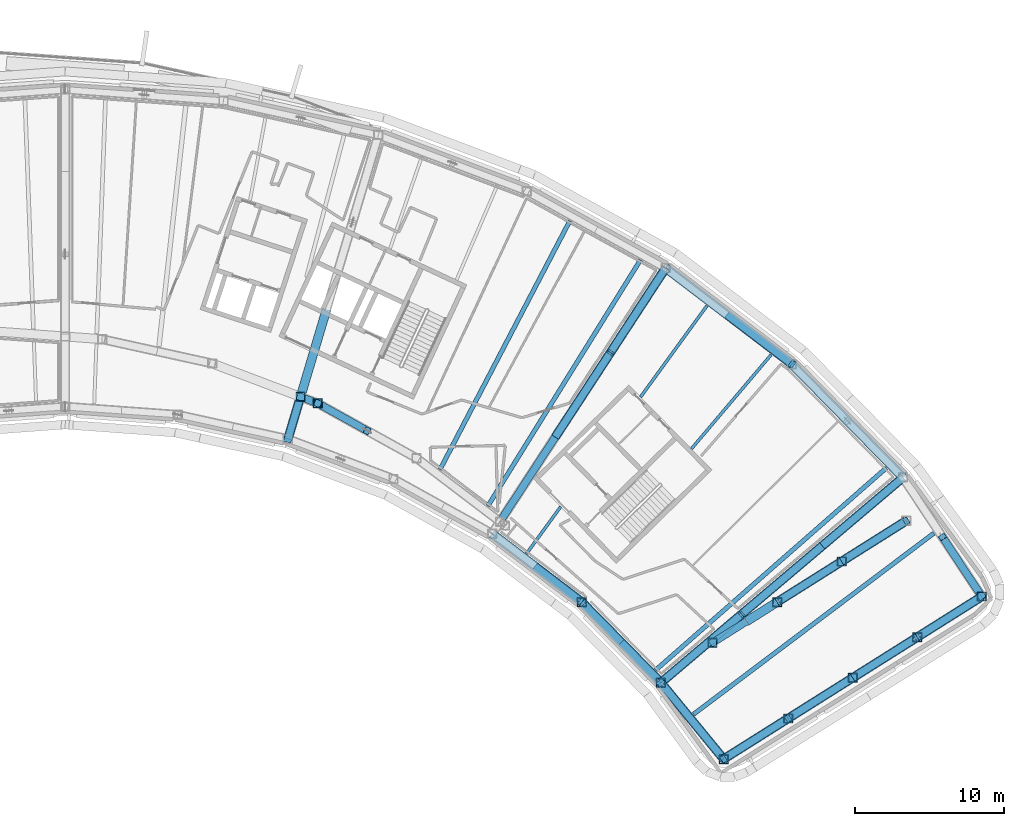
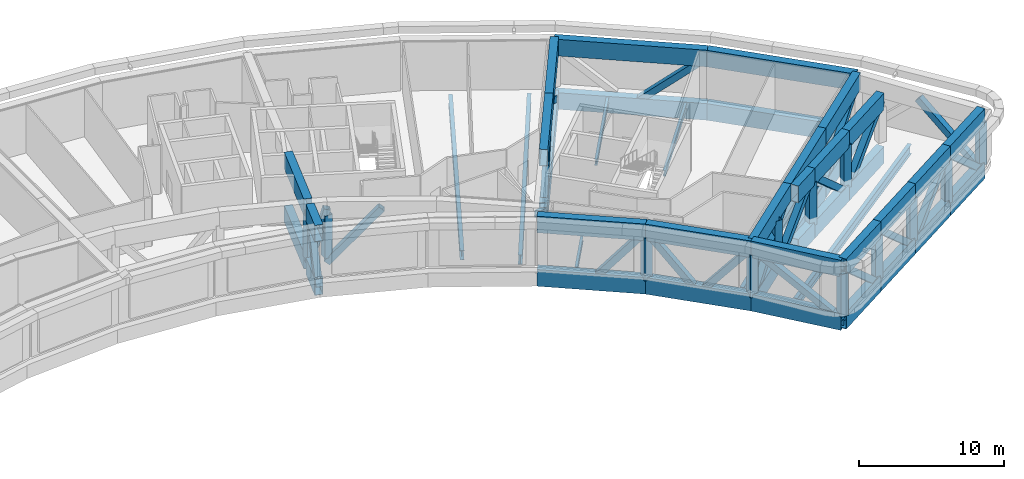
# One storey, part 4 of 24: 45 beams, 34 members.
"""IFC4 building model written with IfcOpenShell, lengths in metres."""

from ifc_helpers import new_model, si_unit, direction, frame, origin, origin_2d, place, context, subcontext, project, spatial, hollow_rectangle, i_section, extrude, material, material_profile, profile_set, type_object, element, save


model = new_model("IFC4")

# Units and contexts
model_context = context("Model", 3, precision=1e-05, world=origin(), true_north=direction((0.0, 1.0)))
body_context = subcontext(model_context, "Body", "Model", "MODEL_VIEW")
ifc_project = project(units=[si_unit("LENGTHUNIT", "METRE"), si_unit("AREAUNIT", "SQUARE_METRE"), si_unit("VOLUMEUNIT", "CUBIC_METRE"), si_unit("PLANEANGLEUNIT", "RADIAN"), si_unit("MASSUNIT", "GRAM", prefix="KILO")], contexts=[model_context])

# Site, building, storey
site_placement = place(None, origin())
site = spatial("IfcSite", under=ifc_project, at=site_placement, CompositionType="ELEMENT")
building_placement = place(site_placement, origin())
building = spatial("IfcBuilding", under=site, at=building_placement, Name="Tuul Gate Civic Tower", CompositionType="ELEMENT")
storey_placement = place(building_placement, frame((0.0, 0.0, 243.89990234375)))
storey = spatial("IfcBuildingStorey", under=building, at=storey_placement, Name="Plant and refuge floor 6", CompositionType="ELEMENT", Elevation=243.89990234375)

# Beams
ifc_material_1 = material(Name="Steel S355", Category="steel")
ifc_material_profile_1 = material_profile(ifc_material_1, i_section(OverallWidth=0.199951171875, OverallDepth=0.5, WebThickness=0.010009765625, FlangeThickness=0.01611328125, at=origin_2d()), Name="PG500x200x10x16")
ifc_profile_set_1 = profile_set([ifc_material_profile_1], Name="Steel S355")
beam_type_1 = type_object("IfcBeamType", Name="STR-FLOOR BEAM-PG500x200x10x16", PredefinedType="BEAM", material=ifc_profile_set_1)
beam_1_placement = place(storey_placement, frame((53.16064453125, -10.720703125, -0.64990234375), z_axis=(0.646582925111, 0.762843706768, 0.0), x_axis=(-0.762843706768, 0.646582925111, 0.0)))
element("IfcBeam", 1, at=beam_1_placement, inside=storey, type_object=beam_type_1, Name="Floor beam", PredefinedType="BEAM", context=body_context, shape_type="SweptSolid", body=[
    extrude(i_section(OverallWidth=0.199951171875, OverallDepth=0.5, WebThickness=0.010009765625, FlangeThickness=0.01611328125, at=origin_2d()), origin(), (0.0, 0.0, 1.0), 8.299072265625),
])
beam_2_placement = place(storey_placement, frame((42.080078125, -17.7587890625, -0.64990234375), z_axis=(0.588410284572, 0.808562512741, 0.0), x_axis=(-0.808562512741, 0.588410284572, 0.0)))
element("IfcBeam", 2, at=beam_2_placement, inside=storey, type_object=beam_type_1, Name="Floor beam", PredefinedType="BEAM", context=body_context, shape_type="SweptSolid", body=[
    extrude(i_section(OverallWidth=0.199951171875, OverallDepth=0.5, WebThickness=0.010009765625, FlangeThickness=0.01611328125, at=origin_2d()), origin(), (0.0, 0.0, 1.0), 3.8935546875),
])
beam_3_placement = place(storey_placement, frame((49.74072265625, -7.23193359375, -0.64990234375), z_axis=(0.588418529606, 0.808556512568, 0.0), x_axis=(-0.808556512568, 0.588418529606, 0.0)))
element("IfcBeam", 3, at=beam_3_placement, inside=storey, type_object=beam_type_1, Name="Floor beam", PredefinedType="BEAM", context=body_context, shape_type="SweptSolid", body=[
    extrude(i_section(OverallWidth=0.199951171875, OverallDepth=0.5, WebThickness=0.010009765625, FlangeThickness=0.01611328125, at=origin_2d()), origin(), (0.0, 0.0, 1.0), 7.585693359375),
])
ifc_material_2 = material(Name="Steel S355", Category="steel")
ifc_material_profile_2 = material_profile(ifc_material_2, i_section(OverallWidth=0.300048828125, OverallDepth=0.800048828125, WebThickness=0.013916015625, FlangeThickness=0.02490234375, at=origin_2d()), Name="PG800x300x14x25")
ifc_profile_set_2 = profile_set([ifc_material_profile_2], Name="Steel S355")
beam_type_2 = type_object("IfcBeamType", Name="STR-FLOOR BEAM-PG800x300x14x25", PredefinedType="BEAM", material=ifc_profile_set_2)
beam_4_placement = place(storey_placement, frame((53.30810546875, -28.57421875, -0.7998046875), z_axis=(0.798705116763, 0.601722640804, 0.0), x_axis=(-0.601722640804, 0.798705116763, 0.0)))
element("IfcBeam", 4, at=beam_4_placement, inside=storey, type_object=beam_type_2, Name="Floor beam", PredefinedType="BEAM", context=body_context, shape_type="SweptSolid", body=[
    extrude(i_section(OverallWidth=0.300048828125, OverallDepth=0.800048828125, WebThickness=0.013916015625, FlangeThickness=0.02490234375, at=origin_2d()), origin(), (0.0, 0.0, 1.0), 20.233154296875),
])
beam_5_placement = place(storey_placement, frame((50.766357421875, -25.597412109375, -0.7998046875), z_axis=(0.752020050066, 0.659140231134, 0.0), x_axis=(-0.659140231134, 0.752020050066, 0.0)))
element("IfcBeam", 5, at=beam_5_placement, inside=storey, type_object=beam_type_2, Name="Floor beam", PredefinedType="BEAM", context=body_context, shape_type="SweptSolid", body=[
    extrude(i_section(OverallWidth=0.300048828125, OverallDepth=0.800048828125, WebThickness=0.013916015625, FlangeThickness=0.02490234375, at=origin_2d()), origin(), (0.0, 0.0, 1.0), 20.631591796875),
])
beam_6_placement = place(storey_placement, frame((39.472900390625, -14.559326171875, -0.7998046875), z_axis=(0.527018626712, 0.849853732768, 0.0), x_axis=(-0.849853732768, 0.527018626712, 0.0)))
element("IfcBeam", 6, at=beam_6_placement, inside=storey, type_object=beam_type_2, Name="Floor beam", PredefinedType="BEAM", context=body_context, shape_type="SweptSolid", body=[
    extrude(i_section(OverallWidth=0.300048828125, OverallDepth=0.800048828125, WebThickness=0.013916015625, FlangeThickness=0.02490234375, at=origin_2d()), origin(), (0.0, 0.0, 1.0), 19.475341796875),
])
beam_7_placement = place(storey_placement, frame((36.251708984375, -12.1064453125, -0.7998046875), z_axis=(0.462734863775, 0.88649672636, 0.0), x_axis=(-0.88649672636, 0.462734863775, 0.0)))
element("IfcBeam", 7, at=beam_7_placement, inside=storey, type_object=beam_type_2, Name="Floor beam", PredefinedType="BEAM", context=body_context, shape_type="SweptSolid", body=[
    extrude(i_section(OverallWidth=0.300048828125, OverallDepth=0.800048828125, WebThickness=0.013916015625, FlangeThickness=0.02490234375, at=origin_2d()), origin(), (0.0, 0.0, 1.0), 18.87451171875),
])
ifc_material_3 = material(Name="Steel S460", Category="steel")
ifc_material_profile_3 = material_profile(ifc_material_3, hollow_rectangle(XDim=0.60009765625, YDim=1.39990234375, WallThickness=0.031982421875, at=origin_2d()), Name="BOX1400x600x32")
ifc_profile_set_3 = profile_set([ifc_material_profile_3], Name="Steel S460")
beam_type_3 = type_object("IfcBeamType", Name="STR-TRANSFER TRUSS CHORD-BOX1400x600x32", PredefinedType="BEAM", material=ifc_profile_set_3)
beam_8_placement = place(storey_placement, frame((51.43310546875, 1.451904296875, -1.099853515625), z_axis=(-0.546741101571, -0.83730171853, 0.0), x_axis=(0.83730171853, -0.546741101571, 0.0)))
element("IfcBeam", 8, at=beam_8_placement, inside=storey, type_object=beam_type_3, Name="Radial truss bottom chord", PredefinedType="BEAM", context=body_context, shape_type="SweptSolid", body=[
    extrude(hollow_rectangle(XDim=0.60009765625, YDim=1.39990234375, WallThickness=0.031982421875, at=origin_2d()), origin(), (0.0, 0.0, 1.0), 6.7958984375),
])
beam_9_placement = place(storey_placement, frame((47.717529296875, -4.23828125, -1.099853515625), z_axis=(-0.546715914807, -0.837318164437, 0.0), x_axis=(0.837318164437, -0.546715914807, 0.0)))
element("IfcBeam", 9, at=beam_9_placement, inside=storey, type_object=beam_type_3, Name="Radial truss bottom chord", PredefinedType="BEAM", context=body_context, shape_type="SweptSolid", body=[
    extrude(hollow_rectangle(XDim=0.60009765625, YDim=1.39990234375, WallThickness=0.031982421875, at=origin_2d()), origin(), (0.0, 0.0, 1.0), 6.795654296875),
])
beam_10_placement = place(storey_placement, frame((51.43310546875, 1.451904296875, 3.400146484375), z_axis=(-0.546741101571, -0.83730171853, 0.0), x_axis=(0.83730171853, -0.546741101571, 0.0)))
element("IfcBeam", 10, at=beam_10_placement, inside=storey, type_object=beam_type_3, Name="Radial truss top chord", PredefinedType="BEAM", context=body_context, shape_type="SweptSolid", body=[
    extrude(hollow_rectangle(XDim=0.60009765625, YDim=1.39990234375, WallThickness=0.031982421875, at=origin_2d()), origin(), (0.0, 0.0, 1.0), 6.7958984375),
])
beam_11_placement = place(storey_placement, frame((47.717529296875, -4.23828125, 3.400146484375), z_axis=(-0.546715914807, -0.837318164437, 0.0), x_axis=(0.837318164437, -0.546715914807, 0.0)))
element("IfcBeam", 11, at=beam_11_placement, inside=storey, type_object=beam_type_3, Name="Radial truss top chord", PredefinedType="BEAM", context=body_context, shape_type="SweptSolid", body=[
    extrude(hollow_rectangle(XDim=0.60009765625, YDim=1.39990234375, WallThickness=0.031982421875, at=origin_2d()), origin(), (0.0, 0.0, 1.0), 6.795654296875),
])
beam_12_placement = place(storey_placement, frame((28.61181640625, -1.343994140625, -1.099853515625), z_axis=(-0.285221985654, -0.95846148535, 0.0), x_axis=(0.95846148535, -0.285221985654, 0.0)))
element("IfcBeam", 12, at=beam_12_placement, inside=storey, type_object=beam_type_3, Name="Radial truss bottom chord", PredefinedType="BEAM", context=body_context, shape_type="SweptSolid", body=[
    extrude(hollow_rectangle(XDim=0.60009765625, YDim=1.39990234375, WallThickness=0.031982421875, at=origin_2d()), origin(), (0.0, 0.0, 1.0), 5.828369140625),
])
beam_13_placement = place(storey_placement, frame((26.77783203125, -7.5068359375, -1.099853515625), z_axis=(-0.285147511558, -0.958483644436, 0.0), x_axis=(0.958483644436, -0.285147511558, 0.0)))
element("IfcBeam", 13, at=beam_13_placement, inside=storey, type_object=beam_type_3, Name="Radial truss bottom chord", PredefinedType="BEAM", context=body_context, shape_type="SweptSolid", body=[
    extrude(hollow_rectangle(XDim=0.60009765625, YDim=1.39990234375, WallThickness=0.031982421875, at=origin_2d()), origin(), (0.0, 0.0, 1.0), 2.66796875),
])
beam_14_placement = place(storey_placement, frame((28.61181640625, -1.343994140625, 3.400146484375), z_axis=(-0.285221985654, -0.95846148535, 0.0), x_axis=(0.95846148535, -0.285221985654, 0.0)))
element("IfcBeam", 14, at=beam_14_placement, inside=storey, type_object=beam_type_3, Name="Radial truss top chord", PredefinedType="BEAM", context=body_context, shape_type="SweptSolid", body=[
    extrude(hollow_rectangle(XDim=0.60009765625, YDim=1.39990234375, WallThickness=0.031982421875, at=origin_2d()), origin(), (0.0, 0.0, 1.0), 5.828369140625),
])
beam_15_placement = place(storey_placement, frame((26.77783203125, -7.5068359375, 3.400146484375), z_axis=(-0.285147511558, -0.958483644436, 0.0), x_axis=(0.958483644436, -0.285147511558, 0.0)))
element("IfcBeam", 15, at=beam_15_placement, inside=storey, type_object=beam_type_3, Name="Radial truss top chord", PredefinedType="BEAM", context=body_context, shape_type="SweptSolid", body=[
    extrude(hollow_rectangle(XDim=0.60009765625, YDim=1.39990234375, WallThickness=0.031982421875, at=origin_2d()), origin(), (0.0, 0.0, 1.0), 2.66796875),
])
beam_16_placement = place(storey_placement, frame((67.403076171875, -12.64208984375, -1.099853515625), z_axis=(-0.762861767294, -0.646561616554, 0.0), x_axis=(0.646561616554, -0.762861767294, 0.0)))
element("IfcBeam", 16, at=beam_16_placement, inside=storey, type_object=beam_type_3, Name="Radial truss bottom chord", PredefinedType="BEAM", context=body_context, shape_type="SweptSolid", body=[
    extrude(hollow_rectangle(XDim=0.60009765625, YDim=1.39990234375, WallThickness=0.031982421875, at=origin_2d()), origin(), (0.0, 0.0, 1.0), 7.118408203125),
])
beam_17_placement = place(storey_placement, frame((61.97265625, -17.24462890625, -1.099853515625), z_axis=(-0.762844850996, -0.646581575139, 0.0), x_axis=(0.646581575139, -0.762844850996, 0.0)))
element("IfcBeam", 17, at=beam_17_placement, inside=storey, type_object=beam_type_3, Name="Radial truss bottom chord", PredefinedType="BEAM", context=body_context, shape_type="SweptSolid", body=[
    extrude(hollow_rectangle(XDim=0.60009765625, YDim=1.39990234375, WallThickness=0.031982421875, at=origin_2d()), origin(), (0.0, 0.0, 1.0), 7.11865234375),
])
for number, where, z_axis, x_axis, name in (
    (18, (56.542236328125, -21.847412109375, -1.099853515625), (-0.762847429267, -0.64657853325, 0.0), (0.64657853325, -0.762847429267, 0.0), "Radial truss bottom chord"),
    (19, (67.403076171875, -12.64208984375, 3.400146484375), (-0.762861767294, -0.646561616554, 0.0), (0.646561616554, -0.762861767294, 0.0), "Radial truss top chord"),
):
    element("IfcBeam", number, at=place(storey_placement, frame(where, z_axis=z_axis, x_axis=x_axis)), inside=storey, type_object=beam_type_3, Name=name, PredefinedType="BEAM", context=body_context, shape_type="SweptSolid", body=[
        extrude(hollow_rectangle(XDim=0.60009765625, YDim=1.39990234375, WallThickness=0.031982421875, at=origin_2d()), origin(), (0.0, 0.0, 1.0), 7.118408203125),
    ])
beam_18_placement = place(storey_placement, frame((61.97265625, -17.24462890625, 3.400146484375), z_axis=(-0.762844850996, -0.646581575139, 0.0), x_axis=(0.646581575139, -0.762844850996, 0.0)))
element("IfcBeam", 20, at=beam_18_placement, inside=storey, type_object=beam_type_3, Name="Radial truss top chord", PredefinedType="BEAM", context=body_context, shape_type="SweptSolid", body=[
    extrude(hollow_rectangle(XDim=0.60009765625, YDim=1.39990234375, WallThickness=0.031982421875, at=origin_2d()), origin(), (0.0, 0.0, 1.0), 7.11865234375),
])
beam_19_placement = place(storey_placement, frame((56.542236328125, -21.847412109375, 3.400146484375), z_axis=(-0.762847429267, -0.64657853325, 0.0), x_axis=(0.64657853325, -0.762847429267, 0.0)))
element("IfcBeam", 21, at=beam_19_placement, inside=storey, type_object=beam_type_3, Name="Radial truss top chord", PredefinedType="BEAM", context=body_context, shape_type="SweptSolid", body=[
    extrude(hollow_rectangle(XDim=0.60009765625, YDim=1.39990234375, WallThickness=0.031982421875, at=origin_2d()), origin(), (0.0, 0.0, 1.0), 7.118408203125),
])
for number, where, z_axis, x_axis, name in (
    (22, (67.403076171875, -12.64208984375, -1.099853515625), (-0.700052665808, 0.714091216229, 0.0), (-0.714091216229, -0.700052665808, 0.0), "Belt truss bottom chord"),
    (23, (67.403076171875, -12.64208984375, 3.400146484375), (-0.700052665808, 0.714091216229, 0.0), (-0.714091216229, -0.700052665808, 0.0), "Belt truss top chord"),
):
    element("IfcBeam", number, at=place(storey_placement, frame(where, z_axis=z_axis, x_axis=x_axis)), inside=storey, type_object=beam_type_3, Name=name, PredefinedType="BEAM", context=body_context, shape_type="SweptSolid", body=[
        extrude(hollow_rectangle(XDim=0.60009765625, YDim=1.39990234375, WallThickness=0.031982421875, at=origin_2d()), origin(), (0.0, 0.0, 1.0), 10.677978515625),
    ])
for number, where, z_axis, x_axis, name in (
    (24, (59.927978515625, -5.01708984375, -1.099853515625), (-0.79558023524, 0.605848239493, 0.0), (-0.605848239493, -0.79558023524, 0.0), "Belt truss bottom chord"),
    (25, (59.927978515625, -5.01708984375, 3.400146484375), (-0.79558023524, 0.605848239493, 0.0), (-0.605848239493, -0.79558023524, 0.0), "Belt truss top chord"),
):
    element("IfcBeam", number, at=place(storey_placement, frame(where, z_axis=z_axis, x_axis=x_axis)), inside=storey, type_object=beam_type_3, Name=name, PredefinedType="BEAM", context=body_context, shape_type="SweptSolid", body=[
        extrude(hollow_rectangle(XDim=0.60009765625, YDim=1.39990234375, WallThickness=0.031982421875, at=origin_2d()), origin(), (0.0, 0.0, 1.0), 10.677490234375),
    ])
for number, where, z_axis, x_axis, name in (
    (26, (39.757080078125, -16.429931640625, -1.099853515625), (0.795657538092, -0.605746714459, 0.0), (0.605746714459, 0.795657538092, 0.0), "Belt truss bottom chord"),
    (27, (39.757080078125, -16.429931640625, 3.400146484375), (0.795657538092, -0.605746714459, 0.0), (0.605746714459, 0.795657538092, 0.0), "Belt truss top chord"),
):
    element("IfcBeam", number, at=place(storey_placement, frame(where, z_axis=z_axis, x_axis=x_axis)), inside=storey, type_object=beam_type_3, Name=name, PredefinedType="BEAM", context=body_context, shape_type="SweptSolid", body=[
        extrude(hollow_rectangle(XDim=0.60009765625, YDim=1.39990234375, WallThickness=0.031982421875, at=origin_2d()), origin(), (0.0, 0.0, 1.0), 7.592529296875),
    ])
for number, where, z_axis, x_axis, name in (
    (28, (45.798095703125, -21.029052734375, -1.099853515625), (0.700028321622, -0.714115081011, 0.0), (0.714115081011, 0.700028321622, 0.0), "Belt truss bottom chord"),
    (29, (45.798095703125, -21.029052734375, 3.400146484375), (0.700028321622, -0.714115081011, 0.0), (0.714115081011, 0.700028321622, 0.0), "Belt truss top chord"),
):
    element("IfcBeam", number, at=place(storey_placement, frame(where, z_axis=z_axis, x_axis=x_axis)), inside=storey, type_object=beam_type_3, Name=name, PredefinedType="BEAM", context=body_context, shape_type="SweptSolid", body=[
        extrude(hollow_rectangle(XDim=0.60009765625, YDim=1.39990234375, WallThickness=0.031982421875, at=origin_2d()), origin(), (0.0, 0.0, 1.0), 7.591064453125),
    ])
for number, where, z_axis, x_axis, name in (
    (30, (51.112060546875, -26.449951171875, -1.099853515625), (0.634390286361, -0.773012913586, 0.0), (0.773012913586, 0.634390286361, 0.0), "Belt truss bottom chord"),
    (31, (51.112060546875, -26.449951171875, 3.400146484375), (0.634390286361, -0.773012913586, 0.0), (0.773012913586, 0.634390286361, 0.0), "Belt truss top chord"),
):
    element("IfcBeam", number, at=place(storey_placement, frame(where, z_axis=z_axis, x_axis=x_axis)), inside=storey, type_object=beam_type_3, Name=name, PredefinedType="BEAM", context=body_context, shape_type="SweptSolid", body=[
        extrude(hollow_rectangle(XDim=0.60009765625, YDim=1.39990234375, WallThickness=0.031982421875, at=origin_2d()), origin(), (0.0, 0.0, 1.0), 6.652099609375),
    ])
for number, where, z_axis, x_axis, name in (
    (32, (68.35888671875, -23.388916015625, -1.099853515625), (0.846200269344, 0.532864996188, 0.0), (-0.532864996188, 0.846200269344, 0.0), "Belt truss bottom chord"),
    (33, (68.35888671875, -23.388916015625, 3.400146484375), (0.846200269344, 0.532864996188, 0.0), (-0.532864996188, 0.846200269344, 0.0), "Belt truss top chord"),
):
    element("IfcBeam", number, at=place(storey_placement, frame(where, z_axis=z_axis, x_axis=x_axis)), inside=storey, type_object=beam_type_3, Name=name, PredefinedType="BEAM", context=body_context, shape_type="SweptSolid", body=[
        extrude(hollow_rectangle(XDim=0.60009765625, YDim=1.39990234375, WallThickness=0.031982421875, at=origin_2d()), origin(), (0.0, 0.0, 1.0), 5.13232421875),
    ])
for number, where, z_axis, x_axis, name in (
    (34, (56.868408203125, -22.32763671875, -1.099853515625), (0.846211042285, 0.532847888159, 0.0), (-0.532847888159, 0.846211042285, 0.0), "Belt truss bottom chord"),
    (35, (56.868408203125, -22.32763671875, 3.400146484375), (0.846211042285, 0.532847888159, 0.0), (-0.532847888159, 0.846211042285, 0.0), "Belt truss top chord"),
):
    element("IfcBeam", number, at=place(storey_placement, frame(where, z_axis=z_axis, x_axis=x_axis)), inside=storey, type_object=beam_type_3, Name=name, PredefinedType="BEAM", context=body_context, shape_type="SweptSolid", body=[
        extrude(hollow_rectangle(XDim=0.60009765625, YDim=1.39990234375, WallThickness=0.031982421875, at=origin_2d()), origin(), (0.0, 0.0, 1.0), 2.431640625),
    ])
for number, where, z_axis, x_axis, name in (
    (36, (59.674072265625, -28.85791015625, -1.099853515625), (0.846200269344, 0.532864996188, 0.0), (-0.532864996188, 0.846200269344, 0.0), "Belt truss bottom chord"),
    (37, (59.674072265625, -28.85791015625, 3.400146484375), (0.846200269344, 0.532864996188, 0.0), (-0.532864996188, 0.846200269344, 0.0), "Belt truss top chord"),
):
    element("IfcBeam", number, at=place(storey_placement, frame(where, z_axis=z_axis, x_axis=x_axis)), inside=storey, type_object=beam_type_3, Name=name, PredefinedType="BEAM", context=body_context, shape_type="SweptSolid", body=[
        extrude(hollow_rectangle(XDim=0.60009765625, YDim=1.39990234375, WallThickness=0.031982421875, at=origin_2d()), origin(), (0.0, 0.0, 1.0), 5.13232421875),
    ])
for number, where, z_axis, x_axis, name in (
    (38, (63.26806640625, -18.297119140625, -1.099853515625), (0.846264615796, 0.53276279905, 0.0), (-0.53276279905, 0.846264615796, 0.0), "Belt truss bottom chord"),
    (39, (63.26806640625, -18.297119140625, 3.400146484375), (0.846264615796, 0.53276279905, 0.0), (-0.53276279905, 0.846264615796, 0.0), "Belt truss top chord"),
):
    element("IfcBeam", number, at=place(storey_placement, frame(where, z_axis=z_axis, x_axis=x_axis)), inside=storey, type_object=beam_type_3, Name=name, PredefinedType="BEAM", context=body_context, shape_type="SweptSolid", body=[
        extrude(hollow_rectangle(XDim=0.60009765625, YDim=1.39990234375, WallThickness=0.031982421875, at=origin_2d()), origin(), (0.0, 0.0, 1.0), 5.132080078125),
    ])
for number, where, z_axis, x_axis, name in (
    (40, (58.926025390625, -21.031982421875, -1.099853515625), (0.846146228652, 0.532950804237, 0.0), (-0.532950804237, 0.846146228652, 0.0), "Belt truss bottom chord"),
    (41, (58.926025390625, -21.031982421875, 3.400146484375), (0.846146228652, 0.532950804237, 0.0), (-0.532950804237, 0.846146228652, 0.0), "Belt truss top chord"),
):
    element("IfcBeam", number, at=place(storey_placement, frame(where, z_axis=z_axis, x_axis=x_axis)), inside=storey, type_object=beam_type_3, Name=name, PredefinedType="BEAM", context=body_context, shape_type="SweptSolid", body=[
        extrude(hollow_rectangle(XDim=0.60009765625, YDim=1.39990234375, WallThickness=0.031982421875, at=origin_2d()), origin(), (0.0, 0.0, 1.0), 5.131591796875),
    ])
for number, where, z_axis, x_axis, name in (
    (42, (64.01708984375, -26.123046875, -1.099853515625), (0.846197081624, 0.532870058317, 0.0), (-0.532870058317, 0.846197081624, 0.0), "Belt truss bottom chord"),
    (43, (64.01708984375, -26.123046875, 3.400146484375), (0.846197081624, 0.532870058317, 0.0), (-0.532870058317, 0.846197081624, 0.0), "Belt truss top chord"),
):
    element("IfcBeam", number, at=place(storey_placement, frame(where, z_axis=z_axis, x_axis=x_axis)), inside=storey, type_object=beam_type_3, Name=name, PredefinedType="BEAM", context=body_context, shape_type="SweptSolid", body=[
        extrude(hollow_rectangle(XDim=0.60009765625, YDim=1.39990234375, WallThickness=0.031982421875, at=origin_2d()), origin(), (0.0, 0.0, 1.0), 5.130859375),
    ])
for number, where, z_axis, x_axis, name in (
    (44, (55.33203125, -31.592041015625, -1.099853515625), (0.846210591722, 0.532848603694, 0.0), (-0.532848603694, 0.846210591722, 0.0), "Belt truss bottom chord"),
    (45, (55.33203125, -31.592041015625, 3.400146484375), (0.846210591722, 0.532848603694, 0.0), (-0.532848603694, 0.846210591722, 0.0), "Belt truss top chord"),
):
    element("IfcBeam", number, at=place(storey_placement, frame(where, z_axis=z_axis, x_axis=x_axis)), inside=storey, type_object=beam_type_3, Name=name, PredefinedType="BEAM", context=body_context, shape_type="SweptSolid", body=[
        extrude(hollow_rectangle(XDim=0.60009765625, YDim=1.39990234375, WallThickness=0.031982421875, at=origin_2d()), origin(), (0.0, 0.0, 1.0), 5.131103515625),
    ])

# Members
ifc_material_4 = material(Name="Steel S355", Category="steel")
ifc_material_profile_4 = material_profile(ifc_material_4, hollow_rectangle(XDim=0.5, YDim=0.5, WallThickness=0.02001953125, at=origin_2d()), Name="BOX500x500x20")
ifc_profile_set_4 = profile_set([ifc_material_profile_4], Name="Steel S355")
member_type_1 = type_object("IfcMemberType", Name="STR-TRANSFER TRUSS DIAGONAL-BOX500x500x20", PredefinedType="BRACE", material=ifc_profile_set_4)
for number, where, z_axis, x_axis, name in (
    (46, (51.435302734375, 1.45556640625, -1.102783203125), (-0.455837736123, -0.698131483243, 0.552109038535), (0.837317099572, -0.546717545688, 0.0), "Radial truss web"),
    (47, (43.999755859375, -9.931884765625, -1.102783203125), (0.455870956646, 0.698106626417, 0.552113040091), (-0.837289948027, 0.546759126978, 0.0), "Radial truss web"),
    (48, (44.00439453125, -9.925048828125, -1.102783203125), (-0.455837736123, -0.698131483243, 0.552109038535), (0.837317099572, -0.546717545688, 0.0), "Radial truss web"),
):
    element("IfcMember", number, at=place(storey_placement, frame(where, z_axis=z_axis, x_axis=x_axis)), inside=storey, type_object=member_type_1, Name=name, PredefinedType="BRACE", context=body_context, shape_type="SweptSolid", body=[
        extrude(hollow_rectangle(XDim=0.5, YDim=0.5, WallThickness=0.02001953125, at=origin_2d()), origin(), (0.0, 0.0, 1.0), 8.16064453125),
    ])
member_1_placement = place(storey_placement, frame((26.01611328125, -10.066650390625, -1.10400390625), z_axis=(0.15707731176, 0.527824969617, 0.834702054376), x_axis=(-0.95845875707, 0.28523115362, 0.0)))
element("IfcMember", 49, at=member_1_placement, inside=storey, type_object=member_type_1, Name="Radial truss web", PredefinedType="BRACE", context=body_context, shape_type="SweptSolid", body=[
    extrude(hollow_rectangle(XDim=0.5, YDim=0.5, WallThickness=0.02001953125, at=origin_2d()), origin(), (0.0, 0.0, 1.0), 5.401123046875),
])
for number, where, z_axis, x_axis, name in (
    (50, (61.969482421875, -17.247314453125, -1.1025390625), (0.64480844625, 0.546533720552, 0.534343484984), (-0.646580829483, 0.762845483007, 0.0), "Radial truss web"),
    (51, (61.975830078125, -17.241943359375, -1.1025390625), (-0.64480844625, -0.546533720552, 0.534343484984), (0.646580829483, -0.762845483007, 0.0), "Radial truss web"),
    (52, (51.10888671875, -26.45263671875, -1.1025390625), (0.64480844625, 0.546533720552, 0.534343484984), (-0.646580829483, 0.762845483007, 0.0), "Radial truss web"),
):
    element("IfcMember", number, at=place(storey_placement, frame(where, z_axis=z_axis, x_axis=x_axis)), inside=storey, type_object=member_type_1, Name=name, PredefinedType="BRACE", context=body_context, shape_type="SweptSolid", body=[
        extrude(hollow_rectangle(XDim=0.5, YDim=0.5, WallThickness=0.02001953125, at=origin_2d()), origin(), (0.0, 0.0, 1.0), 8.431640625),
    ])
member_2_placement = place(storey_placement, frame((55.677490234375, -1.7802734375, -1.10302734375), z_axis=(0.608336672338, -0.463226920273, 0.644474447456), x_axis=(0.605821686283, 0.795600455273, 0.0)))
element("IfcMember", 53, at=member_2_placement, inside=storey, type_object=member_type_1, Name="Belt truss web", PredefinedType="BRACE", context=body_context, shape_type="SweptSolid", body=[
    extrude(hollow_rectangle(XDim=0.5, YDim=0.5, WallThickness=0.02001953125, at=origin_2d()), origin(), (0.0, 0.0, 1.0), 6.9921875),
])
member_3_placement = place(storey_placement, frame((72.7041015625, -20.656982421875, -1.103271484375), z_axis=(-0.402569292294, 0.608650398405, 0.683727034294), x_axis=(-0.834067180508, -0.55166288474, 0.0)))
element("IfcMember", 54, at=member_3_placement, inside=storey, type_object=member_type_1, Name="Belt truss web", PredefinedType="BRACE", context=body_context, shape_type="SweptSolid", body=[
    extrude(hollow_rectangle(XDim=0.5, YDim=0.5, WallThickness=0.02001953125, at=origin_2d()), origin(), (0.0, 0.0, 1.0), 6.591552734375),
])
for number, where, z_axis, x_axis, name in (
    (55, (42.77490234375, -18.7275390625, -1.103759765625), (0.513050918323, -0.390594320534, 0.7643394743), (0.605747217095, 0.795657155427, 0.0), "Belt truss web"),
    (56, (28.023193359375, -7.656494140625, -1.103759765625), (0.563943712005, -0.312607470955, 0.764358593066), (0.484819546412, 0.874614204903, 0.0), "Belt truss web"),
):
    element("IfcMember", number, at=place(storey_placement, frame(where, z_axis=z_axis, x_axis=x_axis)), inside=storey, type_object=member_type_1, Name=name, PredefinedType="BRACE", context=body_context, shape_type="SweptSolid", body=[
        extrude(hollow_rectangle(XDim=0.5, YDim=0.5, WallThickness=0.02001953125, at=origin_2d()), origin(), (0.0, 0.0, 1.0), 5.897216796875),
    ])
member_4_placement = place(storey_placement, frame((26.862548828125, -7.218017578125, -1.104736328125), z_axis=(0.248965614823, -0.094138329311, 0.963926396355), x_axis=(0.353678873198, 0.935366909107, 0.0)))
element("IfcMember", 57, at=member_4_placement, inside=storey, type_object=member_type_1, Name="Belt truss web", PredefinedType="BRACE", context=body_context, shape_type="SweptSolid", body=[
    extrude(hollow_rectangle(XDim=0.5, YDim=0.5, WallThickness=0.02001953125, at=origin_2d()), origin(), (0.0, 0.0, 1.0), 4.678466796875),
])
for number, where, z_axis, x_axis, name in (
    (58, (48.457275390625, -23.74169921875, -1.103759765625), (-0.451355012954, 0.460421858288, 0.764388883156), (-0.714103050027, -0.700040594496, 0.0), "Belt truss web"),
    (59, (48.45263671875, -23.7373046875, -1.103759765625), (0.451355012954, -0.460421858288, 0.764388883156), (0.714103050027, 0.700040594496, 0.0), "Belt truss web"),
):
    element("IfcMember", number, at=place(storey_placement, frame(where, z_axis=z_axis, x_axis=x_axis)), inside=storey, type_object=member_type_1, Name=name, PredefinedType="BRACE", context=body_context, shape_type="SweptSolid", body=[
        extrude(hollow_rectangle(XDim=0.5, YDim=0.5, WallThickness=0.02001953125, at=origin_2d()), origin(), (0.0, 0.0, 1.0), 5.89697265625),
    ])
member_5_placement = place(storey_placement, frame((55.334716796875, -31.59521484375, -1.102783203125), z_axis=(-0.525463250337, 0.640259376154, 0.560318038075), x_axis=(-0.773001004128, -0.634404797915, 0.0)))
element("IfcMember", 60, at=member_5_placement, inside=storey, type_object=member_type_1, Name="Belt truss web", PredefinedType="BRACE", context=body_context, shape_type="SweptSolid", body=[
    extrude(hollow_rectangle(XDim=0.5, YDim=0.5, WallThickness=0.02001953125, at=origin_2d()), origin(), (0.0, 0.0, 1.0), 8.041259765625),
])
for number, where, z_axis, x_axis, name in (
    (61, (72.705078125, -20.652099609375, -1.103271484375), (-0.636260198505, -0.400684993939, 0.659260567174), (0.532886335228, -0.846186831455, 0.0), "Belt truss web"),
    (62, (54.579833984375, -23.76904296875, -1.103271484375), (0.636260198505, 0.400684993939, 0.659260567174), (-0.532886335228, 0.846186831455, 0.0), "Belt truss web"),
    (63, (64.020263671875, -26.12109375, -1.103271484375), (-0.636260198505, -0.400684993939, 0.659260567174), (0.532886335228, -0.846186831455, 0.0), "Belt truss web"),
):
    element("IfcMember", number, at=place(storey_placement, frame(where, z_axis=z_axis, x_axis=x_axis)), inside=storey, type_object=member_type_1, Name=name, PredefinedType="BRACE", context=body_context, shape_type="SweptSolid", body=[
        extrude(hollow_rectangle(XDim=0.5, YDim=0.5, WallThickness=0.02001953125, at=origin_2d()), origin(), (0.0, 0.0, 1.0), 6.8359375),
    ])
member_6_placement = place(storey_placement, frame((63.264892578125, -18.299072265625, -1.103271484375), z_axis=(0.63629661571, 0.400565060072, 0.659298300836), x_axis=(-0.532750272584, 0.846272501657, 0.0)))
element("IfcMember", 64, at=member_6_placement, inside=storey, type_object=member_type_1, Name="Belt truss web", PredefinedType="BRACE", context=body_context, shape_type="SweptSolid", body=[
    extrude(hollow_rectangle(XDim=0.5, YDim=0.5, WallThickness=0.02001953125, at=origin_2d()), origin(), (0.0, 0.0, 1.0), 6.83544921875),
])
member_7_placement = place(storey_placement, frame((63.271240234375, -18.294921875, -1.103271484375), z_axis=(-0.63617516084, -0.400721415387, 0.659320492614), x_axis=(0.532972018739, -0.846132866187, 0.0)))
element("IfcMember", 65, at=member_7_placement, inside=storey, type_object=member_type_1, Name="Belt truss web", PredefinedType="BRACE", context=body_context, shape_type="SweptSolid", body=[
    extrude(hollow_rectangle(XDim=0.5, YDim=0.5, WallThickness=0.02001953125, at=origin_2d()), origin(), (0.0, 0.0, 1.0), 6.835205078125),
])
for number, where, z_axis, x_axis, name in (
    (66, (64.013916015625, -26.125, -1.103271484375), (0.636190317197, 0.40061057874, 0.659373220951), (-0.532857374765, 0.84620506862, 0.0), "Belt truss web"),
    (67, (59.67724609375, -28.85595703125, -1.103271484375), (-0.636211579798, -0.400601474787, 0.659358236567), (0.532835951567, -0.846218558481, 0.0), "Belt truss web"),
):
    element("IfcMember", number, at=place(storey_placement, frame(where, z_axis=z_axis, x_axis=x_axis)), inside=storey, type_object=member_type_1, Name=name, PredefinedType="BRACE", context=body_context, shape_type="SweptSolid", body=[
        extrude(hollow_rectangle(XDim=0.5, YDim=0.5, WallThickness=0.02001953125, at=origin_2d()), origin(), (0.0, 0.0, 1.0), 6.834716796875),
    ])
ifc_material_5 = material(Name="Steel S355", Category="steel")
ifc_material_profile_5 = material_profile(ifc_material_5, hollow_rectangle(XDim=0.60009765625, YDim=0.60009765625, WallThickness=0.028076171875, at=origin_2d()), Name="BOX600x600x28")
ifc_profile_set_5 = profile_set([ifc_material_profile_5], Name="Steel S355")
member_type_2 = type_object("IfcMemberType", Name="STR-TRUSS POST-BOX600x600x28", PredefinedType="POST", material=ifc_profile_set_5)
for number, where, z_axis, x_axis, name in (
    (68, (26.86376953125, -7.218505859375, -0.64501953125), (0.0, 0.0, 1.0), (1.0, 0.0, 0.0), "Radial truss post"),
    (69, (51.112060546875, -26.449951171875, -0.64501953125), (0.0, 0.0, 1.0), (1.0, 0.0, 0.0), "Radial truss post"),
    (70, (72.701904296875, -20.654052734375, -0.64501953125), (0.0, 0.0, 1.0), (1.0, 0.0, 0.0), "Belt truss post"),
    (71, (45.798095703125, -21.029052734375, -0.64501953125), (0.0, 0.0, 1.0), (1.0, 0.0, 0.0), "Belt truss post"),
    (72, (28.02587890625, -7.657958984375, -0.64501953125), (0.0, 0.0, 1.0), (1.0, 0.0, 0.0), "Belt truss post"),
    (73, (55.33203125, -31.592041015625, -0.64501953125), (0.0, 0.0, 1.0), (1.0, 0.0, 0.0), "Belt truss post"),
    (74, (68.35888671875, -23.388916015625, -0.64501953125), (0.0, 0.0, 1.0), (1.0, 0.0, 0.0), "Belt truss post"),
    (75, (54.5830078125, -23.76708984375, -0.64501953125), (0.0, 0.0, 1.0), (1.0, 0.0, 0.0), "Belt truss post"),
    (76, (58.926025390625, -21.031982421875, -0.64501953125), (0.0, 0.0, 1.0), (1.0, 0.0, 0.0), "Belt truss post"),
    (77, (59.674072265625, -28.85791015625, -0.64501953125), (0.0, 0.0, 1.0), (1.0, 0.0, 0.0), "Belt truss post"),
    (78, (64.01708984375, -26.123046875, -0.64501953125), (0.0, 0.0, 1.0), (1.0, 0.0, 0.0), "Belt truss post"),
    (79, (63.26806640625, -18.297119140625, -0.64501953125), (0.0, 0.0, 1.0), (1.0, 0.0, 0.0), "Belt truss post"),
):
    element("IfcMember", number, at=place(storey_placement, frame(where, z_axis=z_axis, x_axis=x_axis)), inside=storey, type_object=member_type_2, Name=name, PredefinedType="POST", context=body_context, shape_type="SweptSolid", body=[
        extrude(hollow_rectangle(XDim=0.60009765625, YDim=0.60009765625, WallThickness=0.028076171875, at=origin_2d()), origin(), (0.0, 0.0, 1.0), 3.590087890625),
    ])

save(model, "model.ifc")
